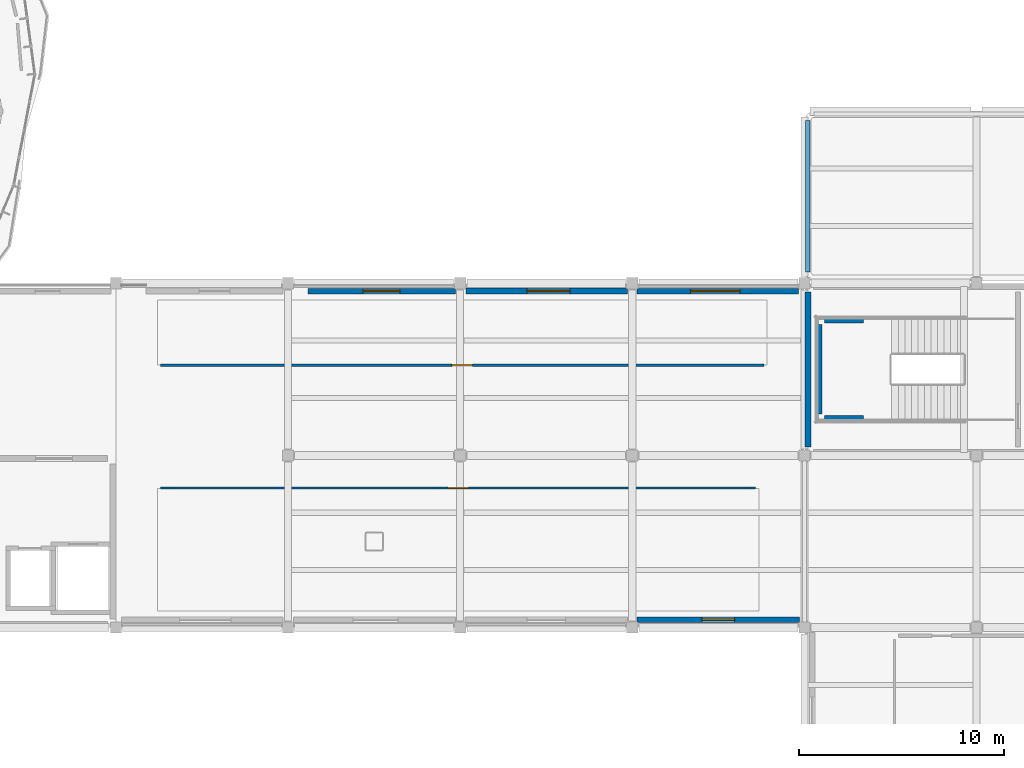
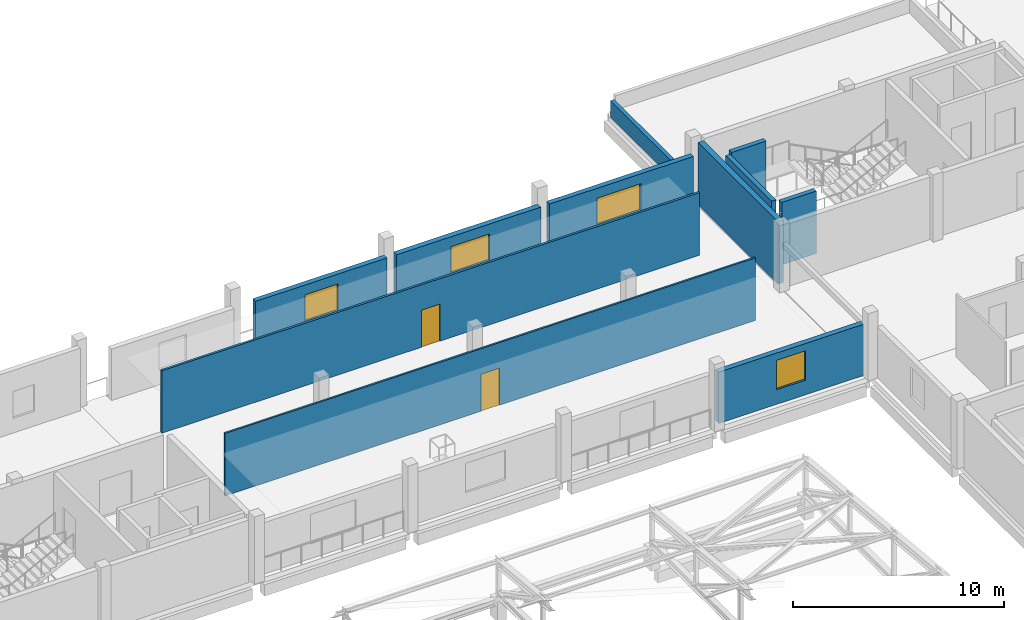
# One storey, part 60 of 74: 11 walls, 4 windows, 2 doors, 6 openings.
"""IFC4 building model written with IfcOpenShell, lengths in metres."""

from ifc_helpers import new_model, si_unit, derived_unit, direction, frame, frame_2d, origin, place, context, subcontext, project, spatial, rectangle, extrude, material, layer, layer_set, type_object, element, fill, save


model = new_model("IFC4")

# Units and contexts
model_context = context("Model", 3, precision=1e-05, world=origin(), true_north=direction((0.0, 1.0)))
body_context = subcontext(model_context, "Body", "Model", "MODEL_VIEW")
ifc_project = project(units=[si_unit("LENGTHUNIT", "METRE"), si_unit("AREAUNIT", "SQUARE_METRE"), si_unit("VOLUMEUNIT", "CUBIC_METRE"), si_unit("PLANEANGLEUNIT", "RADIAN"), si_unit("MASSUNIT", "GRAM", prefix="KILO"), derived_unit("THERMALTRANSMITTANCEUNIT", [(si_unit("POWERUNIT", "WATT"), 1), (si_unit("LENGTHUNIT", "METRE"), -2), (si_unit("THERMODYNAMICTEMPERATUREUNIT", "KELVIN"), -1)])], contexts=[model_context])

# Site, building, storey
site_placement = place(None, origin())
site = spatial("IfcSite", under=ifc_project, at=site_placement, CompositionType="ELEMENT")
building_placement = place(site_placement, origin())
building = spatial("IfcBuilding", under=site, at=building_placement, Name="Elbkamm Science Centre", CompositionType="ELEMENT")
storey_placement = place(building_placement, frame((0.0, 0.0, 14.39990234375)))
storey = spatial("IfcBuildingStorey", under=building, at=storey_placement, Name="L03", CompositionType="ELEMENT", Elevation=14.39990234375)

# Walls
ifc_material_1 = material(Name="Reinforced concrete C40/50", Category="concrete")
ifc_layer_1 = layer(ifc_material_1, 0.25)
ifc_layer_set_1 = layer_set([ifc_layer_1], Name="Reinforced concrete C40/50")
wall_type_1 = type_object("IfcWallType", Name="WL-CORE-250", PredefinedType="SHEAR", material=ifc_layer_set_1)
wall_1_placement = place(storey_placement, frame((126.739990234375, 52.419921875, 0.0), z_axis=(0.0, 0.0, 1.0), x_axis=(0.0, 1.0, 0.0)))
element("IfcWall", 1, at=wall_1_placement, inside=storey, type_object=wall_type_1, Name="L03 ST-C3 Shaft Bearing Wall W", PredefinedType="SHEAR", context=body_context, shape_type="SweptSolid", body=[
    extrude(rectangle(XDim=4.360107421875, YDim=0.25, at=frame_2d((2.18017578125, 0.0))), origin(), (0.0, 0.0, 1.0), 3.6201171875),
])
for number, where, z_axis, x_axis, name in (
    (2, (126.989990234375, 52.219970703125, 0.0), (0.0, 0.0, 1.0), (1.0, 0.0, 0.0), "L03 ST-C3 Shaft Bearing Wall S"),
    (3, (126.989990234375, 56.97998046875, 0.0), (0.0, 0.0, 1.0), (1.0, 0.0, 0.0), "L03 ST-C3 Shaft Bearing Wall N"),
):
    element("IfcWall", number, at=place(storey_placement, frame(where, z_axis=z_axis, x_axis=x_axis)), inside=storey, type_object=wall_type_1, Name=name, PredefinedType="SHEAR", context=body_context, shape_type="SweptSolid", body=[
        extrude(rectangle(XDim=1.889892578125, YDim=0.25, at=frame_2d((0.94482421875, 0.0))), origin(), (0.0, 0.0, 1.0), 3.6201171875),
    ])
ifc_layer_2 = layer(ifc_material_1, 0.300048828125)
ifc_layer_set_2 = layer_set([ifc_layer_2], Name="Reinforced concrete C40/50")
wall_type_2 = type_object("IfcWallType", Name="WL-CORE-300", PredefinedType="SHEAR", material=ifc_layer_set_2)
wall_2_placement = place(storey_placement, frame((126.179931640625, 50.820068359375, 0.0), z_axis=(0.0, 0.0, 1.0), x_axis=(0.0, 1.0, 0.0)))
element("IfcWall", 4, at=wall_2_placement, inside=storey, type_object=wall_type_2, Name="L03 Core C3 Northeast Laboratories and Observatory Core Shear Wall W", PredefinedType="SHEAR", context=body_context, shape_type="SweptSolid", body=[
    extrude(rectangle(XDim=7.559814453125, YDim=0.300048828125, at=frame_2d((3.77978515625, 0.0))), origin(), (0.0, 0.0, 1.0), 3.6201171875),
])

# Wall, opening, window
ifc_material_2 = material(Name="White precast concrete C40/50", Category="concrete")
ifc_layer_3 = layer(ifc_material_2, 0.27001953125)
ifc_layer_set_3 = layer_set([ifc_layer_3], Name="White precast concrete C40/50")
wall_type_3 = type_object("IfcWallType", Name="WL-EXT-270", PredefinedType="SOLIDWALL", material=ifc_layer_set_3)
wall_3_placement = place(storey_placement, frame((101.763916015625, 58.419921875, 0.0), z_axis=(0.0, 0.0, 1.0), x_axis=(1.0, 0.0, 0.0)))
wall_3 = element("IfcWall", 5, at=wall_3_placement, inside=storey, type_object=wall_type_3, Name="L03 Exterior Wall 0275", PredefinedType="SOLIDWALL", context=body_context, shape_type="SweptSolid", body=[
    extrude(rectangle(XDim=7.197021484375, YDim=0.27001953125, at=frame_2d((3.5986328125, 0.0))), origin(), (0.0, 0.0, 1.0), 2.97021484375),
])
opening_1_placement = place(wall_3_placement, frame((2.698486328125, 0.0, 0.85009765625)))
opening_1 = element("IfcOpeningElement", 6, at=opening_1_placement, cuts=wall_3, Name="Opening W-11", PredefinedType="OPENING", context=body_context, shape_type="SweptSolid", body=[
    extrude(rectangle(XDim=1.800048828125, YDim=1.550048828125, at=frame_2d((0.89990234375, 0.77490234375))), frame((0.0, 0.14697265625, 0.0), z_axis=(0.0, -1.0, 0.0), x_axis=(1.0, 0.0, 0.0)), (0.0, 0.0, 1.0), 0.2939453125),
])
ifc_material_3 = material(Name="Thermally broken aluminium and triple solar glass", Category="aluminium")
ifc_layer_4 = layer(ifc_material_3, 0.06005859375)
ifc_layer_set_4 = layer_set([ifc_layer_4], Name="Thermally broken aluminium and triple solar glass")
window_type_1 = type_object("IfcWindowType", Name="WIN-1800x1550", PartitioningType="DOUBLE_PANEL_VERTICAL", PredefinedType="WINDOW", material=ifc_layer_set_4)
window_1_placement = place(opening_1_placement, origin())
window_1 = element("IfcWindow", 7, at=window_1_placement, inside=storey, type_object=window_type_1, Name="L03 Facade Window 0070", OverallHeight=1.550048828125, OverallWidth=1.800048828125, PartitioningType="SINGLE_PANEL", PredefinedType="WINDOW", context=body_context, shape_type="SweptSolid", body=[
    extrude(rectangle(XDim=1.800048828125, YDim=1.550048828125, at=frame_2d((0.89990234375, 0.77490234375))), frame((0.0, 0.030029296875, 0.0), z_axis=(0.0, -1.0, 0.0), x_axis=(1.0, 0.0, 0.0)), (0.0, 0.0, 1.0), 0.06005859375),
])
fill(opening_1, window_1)

wall_4_placement = place(storey_placement, frame((117.839111328125, 58.419921875, 0.0), z_axis=(0.0, 0.0, 1.0), x_axis=(1.0, 0.0, 0.0)))
wall_4 = element("IfcWall", 8, at=wall_4_placement, inside=storey, type_object=wall_type_3, Name="L03 Exterior Wall 0277", PredefinedType="SOLIDWALL", context=body_context, shape_type="SweptSolid", body=[
    extrude(rectangle(XDim=7.8837890625, YDim=0.27001953125, at=frame_2d((3.94189453125, 0.0))), origin(), (0.0, 0.0, 1.0), 2.97021484375),
])
opening_2_placement = place(wall_4_placement, frame((2.60546875, 0.0, 0.85009765625)))
opening_2 = element("IfcOpeningElement", 9, at=opening_2_placement, cuts=wall_4, Name="Opening W-13", PredefinedType="OPENING", context=body_context, shape_type="SweptSolid", body=[
    extrude(rectangle(XDim=2.39990234375, YDim=1.550048828125, at=frame_2d((1.199951171875, 0.77490234375))), frame((0.0, 0.14697265625, 0.0), z_axis=(0.0, -1.0, 0.0), x_axis=(1.0, 0.0, 0.0)), (0.0, 0.0, 1.0), 0.2939453125),
])
ifc_layer_5 = layer(ifc_material_3, 0.06005859375)
ifc_layer_set_5 = layer_set([ifc_layer_5], Name="Thermally broken aluminium and triple solar glass")
window_type_2 = type_object("IfcWindowType", Name="WIN-2400x1550", PartitioningType="DOUBLE_PANEL_VERTICAL", PredefinedType="WINDOW", material=ifc_layer_set_5)
window_2_placement = place(opening_2_placement, origin())
window_2 = element("IfcWindow", 10, at=window_2_placement, inside=storey, type_object=window_type_2, Name="L03 Facade Window 0072", OverallHeight=1.550048828125, OverallWidth=2.39990234375, PartitioningType="SINGLE_PANEL", PredefinedType="WINDOW", context=body_context, shape_type="SweptSolid", body=[
    extrude(rectangle(XDim=2.39990234375, YDim=1.550048828125, at=frame_2d((1.199951171875, 0.77490234375))), frame((0.0, 0.030029296875, 0.0), z_axis=(0.0, -1.0, 0.0), x_axis=(1.0, 0.0, 0.0)), (0.0, 0.0, 1.0), 0.06005859375),
])
fill(opening_2, window_2)

ifc_layer_6 = layer(ifc_material_2, 0.2900390625)
ifc_layer_set_6 = layer_set([ifc_layer_6], Name="White precast concrete C40/50")
wall_type_4 = type_object("IfcWallType", Name="WL-EXT-290", PredefinedType="SOLIDWALL", material=ifc_layer_set_6)
wall_5_placement = place(storey_placement, frame((109.47705078125, 58.419921875, 0.0), z_axis=(0.0, 0.0, 1.0), x_axis=(1.0, 0.0, 0.0)))
wall_5 = element("IfcWall", 11, at=wall_5_placement, inside=storey, type_object=wall_type_4, Name="L03 Exterior Wall 0276", PredefinedType="SOLIDWALL", context=body_context, shape_type="SweptSolid", body=[
    extrude(rectangle(XDim=7.8837890625, YDim=0.2900390625, at=frame_2d((3.94189453125, 0.0))), origin(), (0.0, 0.0, 1.0), 2.97021484375),
])
opening_3_placement = place(wall_5_placement, frame((2.983154296875, 0.0, 0.85009765625)))
opening_3 = element("IfcOpeningElement", 12, at=opening_3_placement, cuts=wall_5, Name="Opening W-12", PredefinedType="OPENING", context=body_context, shape_type="SweptSolid", body=[
    extrude(rectangle(XDim=2.10009765625, YDim=1.550048828125, at=frame_2d((1.050048828125, 0.77490234375))), frame((0.0, 0.156982421875, 0.0), z_axis=(0.0, -1.0, 0.0), x_axis=(1.0, 0.0, 0.0)), (0.0, 0.0, 1.0), 0.31396484375),
])
ifc_layer_7 = layer(ifc_material_3, 0.06005859375)
ifc_layer_set_7 = layer_set([ifc_layer_7], Name="Thermally broken aluminium and triple solar glass")
window_type_3 = type_object("IfcWindowType", Name="WIN-2100x1550", PartitioningType="DOUBLE_PANEL_VERTICAL", PredefinedType="WINDOW", material=ifc_layer_set_7)
window_3_placement = place(opening_3_placement, origin())
window_3 = element("IfcWindow", 13, at=window_3_placement, inside=storey, type_object=window_type_3, Name="L03 Facade Window 0071", OverallHeight=1.550048828125, OverallWidth=2.10009765625, PartitioningType="SINGLE_PANEL", PredefinedType="WINDOW", context=body_context, shape_type="SweptSolid", body=[
    extrude(rectangle(XDim=2.10009765625, YDim=1.550048828125, at=frame_2d((1.050048828125, 0.77490234375))), frame((0.0, 0.030029296875, 0.0), z_axis=(0.0, -1.0, 0.0), x_axis=(1.0, 0.0, 0.0)), (0.0, 0.0, 1.0), 0.06005859375),
])
fill(opening_3, window_3)

wall_6_placement = place(storey_placement, frame((125.760986328125, 42.3798828125, 0.0), z_axis=(0.0, 0.0, 1.0), x_axis=(-1.0, 0.0, 0.0)))
wall_6 = element("IfcWall", 14, at=wall_6_placement, inside=storey, type_object=wall_type_4, Name="L03 Exterior Wall 0286", PredefinedType="SOLIDWALL", context=body_context, shape_type="SweptSolid", body=[
    extrude(rectangle(XDim=7.921875, YDim=0.2900390625, at=frame_2d((3.9609375, 0.0))), origin(), (0.0, 0.0, 1.0), 2.97021484375),
])
opening_4_placement = place(wall_6_placement, frame((3.160888671875, 0.0, 0.85009765625)))
opening_4 = element("IfcOpeningElement", 15, at=opening_4_placement, cuts=wall_6, Name="Opening W-16", PredefinedType="OPENING", context=body_context, shape_type="SweptSolid", body=[
    extrude(rectangle(XDim=1.60009765625, YDim=1.699951171875, at=frame_2d((0.800048828125, 0.85009765625))), frame((0.0, 0.156982421875, 0.0), z_axis=(0.0, -1.0, 0.0), x_axis=(1.0, 0.0, 0.0)), (0.0, 0.0, 1.0), 0.31396484375),
])
ifc_layer_8 = layer(ifc_material_3, 0.06005859375)
ifc_layer_set_8 = layer_set([ifc_layer_8], Name="Thermally broken aluminium and triple solar glass")
window_type_4 = type_object("IfcWindowType", Name="WIN-1600x1700", PartitioningType="SINGLE_PANEL", PredefinedType="WINDOW", material=ifc_layer_set_8)
window_4_placement = place(opening_4_placement, origin())
window_4 = element("IfcWindow", 16, at=window_4_placement, inside=storey, type_object=window_type_4, Name="L03 Facade Window 0075", OverallHeight=1.699951171875, OverallWidth=1.60009765625, PartitioningType="SINGLE_PANEL", PredefinedType="WINDOW", context=body_context, shape_type="SweptSolid", body=[
    extrude(rectangle(XDim=1.60009765625, YDim=1.699951171875, at=frame_2d((0.800048828125, 0.85009765625))), frame((0.0, 0.030029296875, 0.0), z_axis=(0.0, -1.0, 0.0), x_axis=(1.0, 0.0, 0.0)), (0.0, 0.0, 1.0), 0.06005859375),
])
fill(opening_4, window_4)

# Wall
ifc_layer_9 = layer(ifc_material_2, 0.2099609375)
ifc_layer_set_9 = layer_set([ifc_layer_9], Name="White precast concrete C40/50")
wall_type_5 = type_object("IfcWallType", Name="WL-PAR-210", PredefinedType="PARAPET", material=ifc_layer_set_9)
wall_7_placement = place(storey_placement, frame((126.1650390625, 59.353515625, 0.0), z_axis=(0.0, 0.0, 1.0), x_axis=(0.0, 1.0, 0.0)))
element("IfcWall", 17, at=wall_7_placement, inside=storey, type_object=wall_type_5, Name="L03 Roof Parapet Wall 058", PredefinedType="PARAPET", context=body_context, shape_type="SweptSolid", body=[
    extrude(rectangle(XDim=7.39306640625, YDim=0.2099609375, at=frame_2d((3.696533203125, 0.0))), origin(), (0.0, 0.0, 1.0), 0.9501953125),
])

# Wall, opening, door
ifc_material_4 = material(Name="Drywall service partition", Category="gypsum")
ifc_layer_10 = layer(ifc_material_4, 0.10009765625)
ifc_layer_set_10 = layer_set([ifc_layer_10], Name="Drywall service partition")
wall_type_6 = type_object("IfcWallType", Name="WL-PART-100", PredefinedType="PARTITIONING", material=ifc_layer_set_10)
wall_8_placement = place(storey_placement, frame((94.580078125, 48.800048828125, 0.0), z_axis=(0.0, 0.0, 1.0), x_axis=(1.0, 0.0, 0.0)))
wall_8 = element("IfcWall", 18, at=wall_8_placement, inside=storey, type_object=wall_type_6, Name="L03 Curatorial Research Office Suite Partition 0223", PredefinedType="PARTITIONING", context=body_context, shape_type="SweptSolid", body=[
    extrude(rectangle(XDim=29.0400390625, YDim=0.10009765625, at=frame_2d((14.52001953125, 0.0))), origin(), (0.0, 0.0, 1.0), 3.6201171875),
])
opening_5_placement = place(wall_8_placement, frame((14.02001953125, 0.0, 0.0)))
opening_5 = element("IfcOpeningElement", 19, at=opening_5_placement, cuts=wall_8, Name="Opening DI-08", PredefinedType="OPENING", context=body_context, shape_type="SweptSolid", body=[
    extrude(rectangle(XDim=1.0, YDim=2.14990234375, at=frame_2d((0.5, 1.074951171875))), frame((0.0, 0.06201171875, 0.0), z_axis=(0.0, -1.0, 0.0), x_axis=(1.0, 0.0, 0.0)), (0.0, 0.0, 1.0), 0.1240234375),
])
ifc_material_5 = material(Name="Acoustic oak veneer door")
ifc_layer_11 = layer(ifc_material_5, 0.050048828125)
ifc_layer_set_11 = layer_set([ifc_layer_11], Name="Acoustic oak veneer door")
door_type = type_object("IfcDoorType", Name="DR-INT-1000x2150", OperationType="NOTDEFINED", PredefinedType="DOOR", material=ifc_layer_set_11)
door_1_placement = place(opening_5_placement, origin())
door_1 = element("IfcDoor", 20, at=door_1_placement, inside=storey, type_object=door_type, Name="L03 Curatorial Research Office Suite Door", OperationType="SINGLE_SWING_LEFT", OverallHeight=2.14990234375, OverallWidth=1.0, PredefinedType="DOOR", context=body_context, shape_type="SweptSolid", body=[
    extrude(rectangle(XDim=1.0, YDim=2.14990234375, at=frame_2d((0.5, 1.074951171875))), frame((0.0, 0.02490234375, 0.0), z_axis=(0.0, -1.0, 0.0), x_axis=(1.0, 0.0, 0.0)), (0.0, 0.0, 1.0), 0.050048828125),
])
fill(opening_5, door_1)

ifc_material_6 = material(Name="Lightweight metal-stud gypsum partition", Category="gypsum")
ifc_layer_12 = layer(ifc_material_6, 0.125)
ifc_layer_set_12 = layer_set([ifc_layer_12], Name="Lightweight metal-stud gypsum partition")
wall_type_7 = type_object("IfcWallType", Name="WL-PART-125", PredefinedType="PARTITIONING", material=ifc_layer_set_12)
wall_9_placement = place(storey_placement, frame((124.02001953125, 54.800048828125, 0.0), z_axis=(0.0, 0.0, 1.0), x_axis=(-1.0, 0.0, 0.0)))
wall_9 = element("IfcWall", 21, at=wall_9_placement, inside=storey, type_object=wall_type_7, Name="L03 Estuarine Microbiology Studio Partition 0218", PredefinedType="PARTITIONING", context=body_context, shape_type="SweptSolid", body=[
    extrude(rectangle(XDim=29.43994140625, YDim=0.125, at=frame_2d((14.719970703125, 0.0))), origin(), (0.0, 0.0, 1.0), 3.6201171875),
])
opening_6_placement = place(wall_9_placement, frame((14.219970703125, 0.0, 0.0)))
opening_6 = element("IfcOpeningElement", 22, at=opening_6_placement, cuts=wall_9, Name="Opening DI-08", PredefinedType="OPENING", context=body_context, shape_type="SweptSolid", body=[
    extrude(rectangle(XDim=1.0, YDim=2.14990234375, at=frame_2d((0.5, 1.074951171875))), frame((0.0, 0.074462890625, 0.0), z_axis=(0.0, -1.0, 0.0), x_axis=(1.0, 0.0, 0.0)), (0.0, 0.0, 1.0), 0.14892578125),
])
door_2_placement = place(opening_6_placement, origin())
door_2 = element("IfcDoor", 23, at=door_2_placement, inside=storey, type_object=door_type, Name="L03 Estuarine Microbiology Studio Door", OperationType="SINGLE_SWING_LEFT", OverallHeight=2.14990234375, OverallWidth=1.0, PredefinedType="DOOR", context=body_context, shape_type="SweptSolid", body=[
    extrude(rectangle(XDim=1.0, YDim=2.14990234375, at=frame_2d((0.5, 1.074951171875))), frame((0.0, 0.02490234375, 0.0), z_axis=(0.0, -1.0, 0.0), x_axis=(1.0, 0.0, 0.0)), (0.0, 0.0, 1.0), 0.050048828125),
])
fill(opening_6, door_2)

save(model, "model.ifc")
